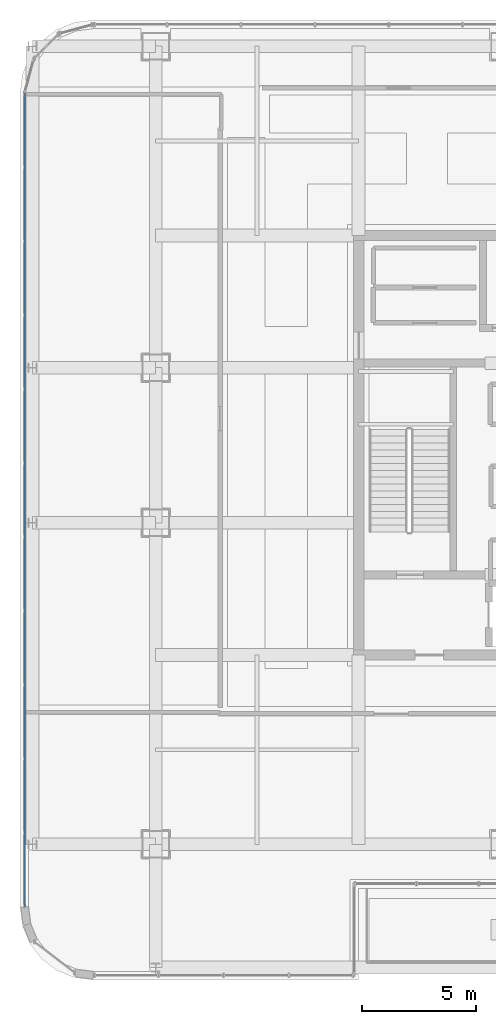
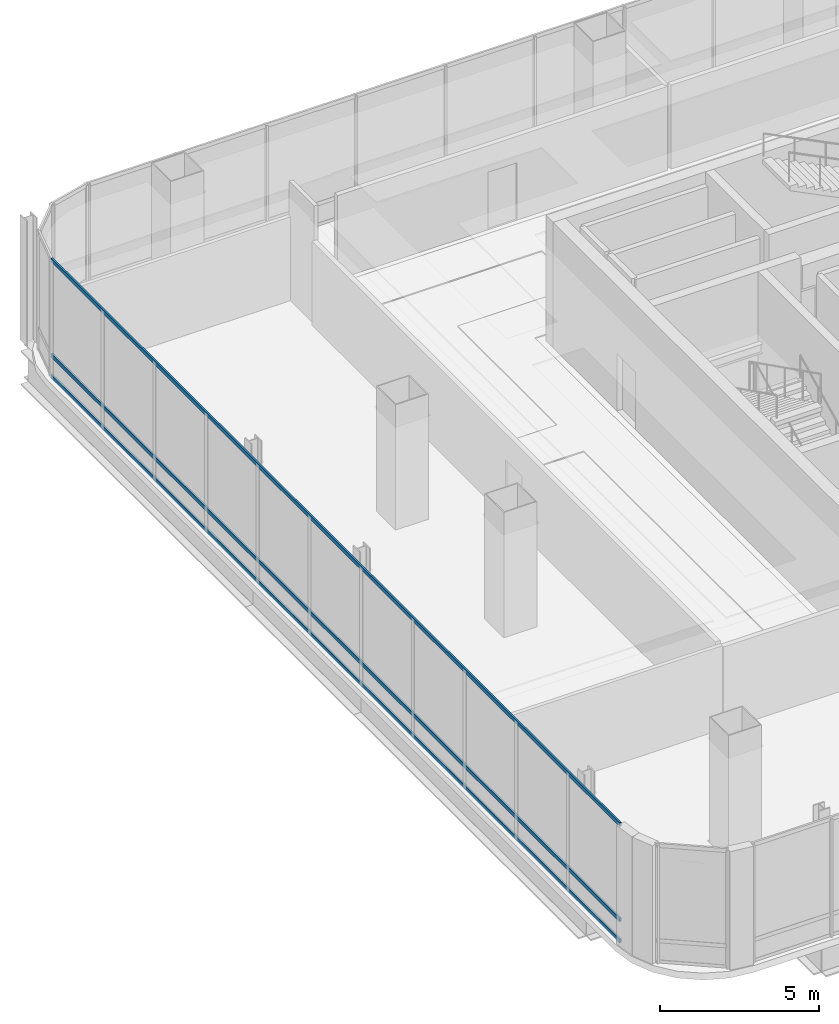
# One storey, part 11 of 44: 3 members, 1 element without a shape of its own.
"""IFC4 building model written with IfcOpenShell, lengths in metres."""

from ifc_helpers import new_model, si_unit, direction, frame, origin, origin_2d, place, context, subcontext, project, spatial, hollow_rectangle, extrude, material, material_profile, profile_set, type_object, element, aggregate, save


model = new_model("IFC4")

# Units and contexts
model_context = context("Model", 3, precision=1e-05, world=origin(), true_north=direction((0.0, 1.0)))
body_context = subcontext(model_context, "Body", "Model", "MODEL_VIEW")
ifc_project = project(units=[si_unit("LENGTHUNIT", "METRE"), si_unit("AREAUNIT", "SQUARE_METRE"), si_unit("VOLUMEUNIT", "CUBIC_METRE"), si_unit("PLANEANGLEUNIT", "RADIAN"), si_unit("MASSUNIT", "GRAM", prefix="KILO")], contexts=[model_context])

# Site, building, storey
site_placement = place(None, origin())
site = spatial("IfcSite", under=ifc_project, at=site_placement, CompositionType="ELEMENT")
building_placement = place(site_placement, origin())
building = spatial("IfcBuilding", under=site, at=building_placement, Name="Punatoya Terracotta Tower", CompositionType="ELEMENT")
storey_placement = place(building_placement, frame((0.0, 0.0, 334.199951171875)))
storey = spatial("IfcBuildingStorey", under=building, at=storey_placement, Name="L79", CompositionType="ELEMENT", Elevation=334.199951171875)

# Curtain wall, members
ifc_material_1 = material(Name="Aluminium 6063-T6 + Double Low-E Glass", Category="aluminium")
curtain_wall_type = type_object("IfcCurtainWallType", Name="CW-OBS", PredefinedType="NOTDEFINED", material=ifc_material_1)
curtain_wall_placement = place(storey_placement, origin())
curtain_wall = element("IfcCurtainWall", 1, at=curtain_wall_placement, inside=storey, type_object=curtain_wall_type, Name="L79 Curtain Wall CW-L79-W18-1", PredefinedType="NOTDEFINED")
ifc_material_2 = material(Name="Aluminium 6063-T6", Category="aluminium")
ifc_material_profile = material_profile(ifc_material_2, hollow_rectangle(XDim=0.068115234375, YDim=0.14990234375, WallThickness=0.00390625, at=origin_2d()))
ifc_profile_set = profile_set([ifc_material_profile], Name="Aluminium 6063-T6")
member_type = type_object("IfcMemberType", Name="CW-TRN-TYP", PredefinedType="USERDEFINED", material=ifc_profile_set)
member_1_placement = place(storey_placement, frame((-24.85009765625, 15.43701171875, 0.0400390625), z_axis=(0.0, -1.0, 0.0), x_axis=(1.0, 0.0, 0.0)))
member_1 = element("IfcMember", 2, at=member_1_placement, type_object=member_type, Name="CW-L79-W18-1 Transom 1", ObjectType="TRANSOM", PredefinedType="USERDEFINED", context=body_context, shape_type="SweptSolid", body=[
    extrude(hollow_rectangle(XDim=0.068115234375, YDim=0.14990234375, WallThickness=0.00390625, at=origin_2d()), origin(), (0.0, 0.0, 1.0), 35.673828125),
])
member_2_placement = place(storey_placement, frame((-24.85009765625, 15.43701171875, 0.85009765625), z_axis=(0.0, -1.0, 0.0), x_axis=(1.0, 0.0, 0.0)))
member_2 = element("IfcMember", 3, at=member_2_placement, type_object=member_type, Name="CW-L79-W18-1 Transom 2", ObjectType="TRANSOM", PredefinedType="USERDEFINED", context=body_context, shape_type="SweptSolid", body=[
    extrude(hollow_rectangle(XDim=0.068115234375, YDim=0.14990234375, WallThickness=0.00390625, at=origin_2d()), origin(), (0.0, 0.0, 1.0), 35.673828125),
])
member_3_placement = place(storey_placement, frame((-24.85009765625, 15.43701171875, 4.5), z_axis=(0.0, -1.0, 0.0), x_axis=(1.0, 0.0, 0.0)))
member_3 = element("IfcMember", 4, at=member_3_placement, type_object=member_type, Name="CW-L79-W18-1 Transom 3", ObjectType="TRANSOM", PredefinedType="USERDEFINED", context=body_context, shape_type="SweptSolid", body=[
    extrude(hollow_rectangle(XDim=0.068115234375, YDim=0.14990234375, WallThickness=0.00390625, at=origin_2d()), origin(), (0.0, 0.0, 1.0), 35.673828125),
])
aggregate(curtain_wall, [member_1, member_2, member_3])

save(model, "model.ifc")
